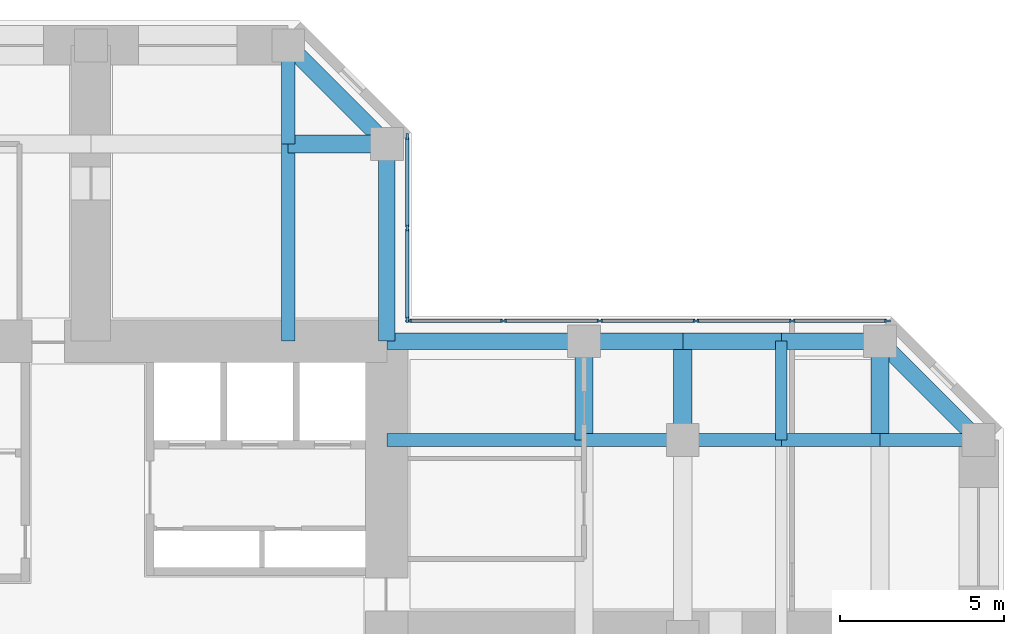
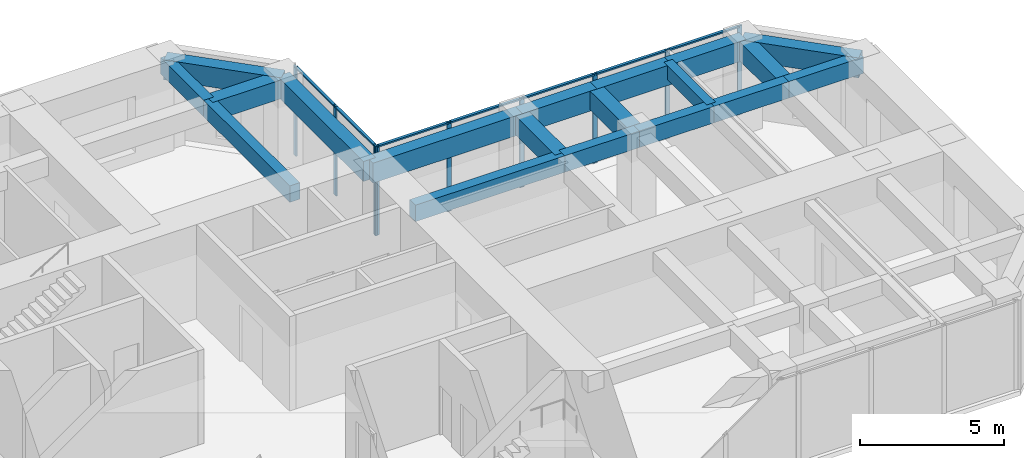
# One storey, part 6 of 12: 19 beams, 16 members, 2 elements without a shape of their own.
"""IFC4 building model written with IfcOpenShell, lengths in metres."""

from ifc_helpers import new_model, si_unit, direction, frame, origin, origin_2d, place, context, subcontext, project, spatial, rectangle, extrude, material, material_profile, profile_set, type_object, element, aggregate, save


model = new_model("IFC4")

# Units and contexts
model_context = context("Model", 3, precision=1e-05, world=origin(), true_north=direction((0.0, 1.0)))
body_context = subcontext(model_context, "Body", "Model", "MODEL_VIEW")
ifc_project = project(units=[si_unit("LENGTHUNIT", "METRE"), si_unit("AREAUNIT", "SQUARE_METRE"), si_unit("VOLUMEUNIT", "CUBIC_METRE"), si_unit("PLANEANGLEUNIT", "RADIAN"), si_unit("MASSUNIT", "GRAM", prefix="KILO")], contexts=[model_context])

# Site, building, storey
site_placement = place(None, origin())
site = spatial("IfcSite", under=ifc_project, at=site_placement, CompositionType="ELEMENT")
building_placement = place(site_placement, origin())
building = spatial("IfcBuilding", under=site, at=building_placement, Name="Torre Cruceta", CompositionType="ELEMENT")
storey_placement = place(building_placement, frame((0.0, 0.0, 148.5)))
storey = spatial("IfcBuildingStorey", under=building, at=storey_placement, Name="L36", CompositionType="ELEMENT", Elevation=148.5)

# Beams
ifc_material_1 = material(Name="Concrete G60 (fck 60 MPa)", Category="concrete")
ifc_material_profile_1 = material_profile(ifc_material_1, rectangle(XDim=0.39990234375, YDim=0.699951171875, at=origin_2d()), Name="RC 400X700")
ifc_profile_set_1 = profile_set([ifc_material_profile_1], Name="Concrete G60 (fck 60 MPa)")
beam_type_1 = type_object("IfcBeamType", Name="COLUMN LINE BEAM RC 400X700", PredefinedType="BEAM", material=ifc_profile_set_1)
beam_1_placement = place(storey_placement, frame((6.0, 9.0, 3.449951171875), z_axis=(0.0, 1.0, 0.0), x_axis=(-1.0, 0.0, 0.0)))
element("IfcBeam", 1, at=beam_1_placement, inside=storey, type_object=beam_type_1, Name="LB5 L36 N col- 1", PredefinedType="BEAM", context=body_context, shape_type="SweptSolid", body=[
    extrude(rectangle(XDim=0.39990234375, YDim=0.699951171875, at=origin_2d()), origin(), (0.0, 0.0, 1.0), 6.0),
])
beam_2_placement = place(storey_placement, frame((6.0, 15.0, 3.449951171875), z_axis=(0.0, 1.0, 0.0), x_axis=(-1.0, 0.0, 0.0)))
element("IfcBeam", 2, at=beam_2_placement, inside=storey, type_object=beam_type_1, Name="LB5 L36 N col- 2", PredefinedType="BEAM", context=body_context, shape_type="SweptSolid", body=[
    extrude(rectangle(XDim=0.39990234375, YDim=0.699951171875, at=origin_2d()), origin(), (0.0, 0.0, 1.0), 3.0),
])
beam_3_placement = place(storey_placement, frame((9.0, 6.0, 3.449951171875), z_axis=(1.0, 0.0, 0.0), x_axis=(0.0, 1.0, 0.0)))
element("IfcBeam", 3, at=beam_3_placement, inside=storey, type_object=beam_type_1, Name="LB5 L36 E col+ 1", PredefinedType="BEAM", context=body_context, shape_type="SweptSolid", body=[
    extrude(rectangle(XDim=0.39990234375, YDim=0.699951171875, at=origin_2d()), origin(), (0.0, 0.0, 1.0), 6.0),
])
for number, where, z_axis, x_axis, name in (
    (4, (15.0, 6.0, 3.449951171875), (1.0, 0.0, 0.0), (0.0, 1.0, 0.0), "LB5 L36 E col+ 2"),
    (5, (18.0, 6.0, 3.449951171875), (1.0, 0.0, 0.0), (0.0, 1.0, 0.0), "LB5 L36 E col+ 3"),
    (6, (21.0, 6.0, 3.449951171875), (1.0, 0.0, 0.0), (0.0, 1.0, 0.0), "LB5 L36 E col+ 4"),
    (7, (24.0, 6.0, 3.449951171875), (1.0, 0.0, 0.0), (0.0, 1.0, 0.0), "LB5 L36 E col+ 5"),
):
    element("IfcBeam", number, at=place(storey_placement, frame(where, z_axis=z_axis, x_axis=x_axis)), inside=storey, type_object=beam_type_1, Name=name, PredefinedType="BEAM", context=body_context, shape_type="SweptSolid", body=[
        extrude(rectangle(XDim=0.39990234375, YDim=0.699951171875, at=origin_2d()), origin(), (0.0, 0.0, 1.0), 3.0),
    ])
ifc_material_2 = material(Name="Concrete G60 (fck 60 MPa)", Category="concrete")
ifc_material_profile_2 = material_profile(ifc_material_2, rectangle(XDim=0.550048828125, YDim=0.800048828125, at=origin_2d()), Name="RC 550X800")
ifc_profile_set_2 = profile_set([ifc_material_profile_2], Name="Concrete G60 (fck 60 MPa)")
beam_type_2 = type_object("IfcBeamType", Name="CROSS BEAM RC 550X800", PredefinedType="BEAM", material=ifc_profile_set_2)
for number, where, z_axis, x_axis, name in (
    (8, (9.0, 15.0, 3.39990234375), (-1.0, 0.0, 0.0), (0.0, -1.0, 0.0), "GB5 L36 N cross15 1"),
    (9, (15.0, 6.0, 3.39990234375), (0.0, 1.0, 0.0), (-1.0, 0.0, 0.0), "GB5 L36 E cross15 4"),
    (10, (18.0, 6.0, 3.39990234375), (0.0, 1.0, 0.0), (-1.0, 0.0, 0.0), "GB5 L36 E cross18 4"),
    (11, (24.0, 6.0, 3.39990234375), (0.0, 1.0, 0.0), (-1.0, 0.0, 0.0), "GB5 L36 E cross24 4"),
):
    element("IfcBeam", number, at=place(storey_placement, frame(where, z_axis=z_axis, x_axis=x_axis)), inside=storey, type_object=beam_type_2, Name=name, PredefinedType="BEAM", context=body_context, shape_type="SweptSolid", body=[
        extrude(rectangle(XDim=0.550048828125, YDim=0.800048828125, at=origin_2d()), origin(), (0.0, 0.0, 1.0), 3.0),
    ])

# Curtain wall, members
ifc_material_3 = material(Name="Aluminium unitised curtain wall", Category="aluminium")
curtain_wall_type = type_object("IfcCurtainWallType", Name="CURTAIN WALL CW-B OFFICE MID RISE", PredefinedType="USERDEFINED", material=ifc_material_3)
curtain_wall_1_placement = place(storey_placement, origin())
curtain_wall_1 = element("IfcCurtainWall", 12, at=curtain_wall_1_placement, inside=storey, type_object=curtain_wall_type, Name="CW-B L36 E side 04", ObjectType="UNITISED", PredefinedType="USERDEFINED")
ifc_material_4 = material(Name="Aluminium mullion", Category="aluminium")
ifc_material_profile_3 = material_profile(ifc_material_4, rectangle(XDim=0.06494140625, YDim=0.179931640625, at=origin_2d()), Name="AL 65X180")
ifc_profile_set_3 = profile_set([ifc_material_profile_3], Name="Aluminium mullion")
member_type_1 = type_object("IfcMemberType", Name="CW-B MULLION 65X180", PredefinedType="MULLION", material=ifc_profile_set_3)
member_1_placement = place(storey_placement, frame((24.224365234375, 9.6201171875, 0.0), z_axis=(0.0, 0.0, 1.0), x_axis=(0.0, -1.0, 0.0)))
member_1 = element("IfcMember", 13, at=member_1_placement, type_object=member_type_1, Name="CW-B mullion 1", PredefinedType="MULLION", context=body_context, shape_type="SweptSolid", body=[
    extrude(rectangle(XDim=0.06494140625, YDim=0.179931640625, at=origin_2d()), origin(), (0.0, 0.0, 1.0), 3.800048828125),
])
member_2_placement = place(storey_placement, frame((21.329345703125, 9.6201171875, 0.0), z_axis=(0.0, 0.0, 1.0), x_axis=(0.0, -1.0, 0.0)))
member_2 = element("IfcMember", 14, at=member_2_placement, type_object=member_type_1, Name="CW-B mullion 2", PredefinedType="MULLION", context=body_context, shape_type="SweptSolid", body=[
    extrude(rectangle(XDim=0.06494140625, YDim=0.179931640625, at=origin_2d()), origin(), (0.0, 0.0, 1.0), 3.800048828125),
])
member_3_placement = place(storey_placement, frame((18.402099609375, 9.6201171875, 0.0), z_axis=(0.0, 0.0, 1.0), x_axis=(0.0, -1.0, 0.0)))
member_3 = element("IfcMember", 15, at=member_3_placement, type_object=member_type_1, Name="CW-B mullion 3", PredefinedType="MULLION", context=body_context, shape_type="SweptSolid", body=[
    extrude(rectangle(XDim=0.06494140625, YDim=0.179931640625, at=origin_2d()), origin(), (0.0, 0.0, 1.0), 3.800048828125),
])
member_4_placement = place(storey_placement, frame((15.474609375, 9.6201171875, 0.0), z_axis=(0.0, 0.0, 1.0), x_axis=(0.0, -1.0, 0.0)))
member_4 = element("IfcMember", 16, at=member_4_placement, type_object=member_type_1, Name="CW-B mullion 4", PredefinedType="MULLION", context=body_context, shape_type="SweptSolid", body=[
    extrude(rectangle(XDim=0.06494140625, YDim=0.179931640625, at=origin_2d()), origin(), (0.0, 0.0, 1.0), 3.800048828125),
])
member_5_placement = place(storey_placement, frame((12.54736328125, 9.6201171875, 0.0), z_axis=(0.0, 0.0, 1.0), x_axis=(0.0, -1.0, 0.0)))
member_5 = element("IfcMember", 17, at=member_5_placement, type_object=member_type_1, Name="CW-B mullion 5", PredefinedType="MULLION", context=body_context, shape_type="SweptSolid", body=[
    extrude(rectangle(XDim=0.06494140625, YDim=0.179931640625, at=origin_2d()), origin(), (0.0, 0.0, 1.0), 3.800048828125),
])
member_6_placement = place(storey_placement, frame((9.652587890625, 9.6201171875, 0.0), z_axis=(0.0, 0.0, 1.0), x_axis=(0.0, -1.0, 0.0)))
member_6 = element("IfcMember", 18, at=member_6_placement, type_object=member_type_1, Name="CW-B mullion 6", PredefinedType="MULLION", context=body_context, shape_type="SweptSolid", body=[
    extrude(rectangle(XDim=0.06494140625, YDim=0.179931640625, at=origin_2d()), origin(), (0.0, 0.0, 1.0), 3.800048828125),
])

curtain_wall_2_placement = place(storey_placement, origin())
curtain_wall_2 = element("IfcCurtainWall", 19, at=curtain_wall_2_placement, inside=storey, type_object=curtain_wall_type, Name="CW-B L36 N side 05", ObjectType="UNITISED", PredefinedType="USERDEFINED")
member_7_placement = place(storey_placement, frame((9.6201171875, 9.652587890625, 0.0), z_axis=(0.0, 0.0, 1.0), x_axis=(-1.0, 0.0, 0.0)))
member_7 = element("IfcMember", 20, at=member_7_placement, type_object=member_type_1, Name="CW-B mullion 1", PredefinedType="MULLION", context=body_context, shape_type="SweptSolid", body=[
    extrude(rectangle(XDim=0.06494140625, YDim=0.179931640625, at=origin_2d()), origin(), (0.0, 0.0, 1.0), 3.800048828125),
])
member_8_placement = place(storey_placement, frame((9.6201171875, 12.4384765625, 0.0), z_axis=(0.0, 0.0, 1.0), x_axis=(-1.0, 0.0, 0.0)))
member_8 = element("IfcMember", 21, at=member_8_placement, type_object=member_type_1, Name="CW-B mullion 2", PredefinedType="MULLION", context=body_context, shape_type="SweptSolid", body=[
    extrude(rectangle(XDim=0.06494140625, YDim=0.179931640625, at=origin_2d()), origin(), (0.0, 0.0, 1.0), 3.800048828125),
])
member_9_placement = place(storey_placement, frame((9.6201171875, 15.224365234375, 0.0), z_axis=(0.0, 0.0, 1.0), x_axis=(-1.0, 0.0, 0.0)))
member_9 = element("IfcMember", 22, at=member_9_placement, type_object=member_type_1, Name="CW-B mullion 3", PredefinedType="MULLION", context=body_context, shape_type="SweptSolid", body=[
    extrude(rectangle(XDim=0.06494140625, YDim=0.179931640625, at=origin_2d()), origin(), (0.0, 0.0, 1.0), 3.800048828125),
])

# Member
ifc_material_5 = material(Name="Aluminium transom", Category="aluminium")
ifc_material_profile_4 = material_profile(ifc_material_5, rectangle(XDim=0.110107421875, YDim=0.06494140625, at=origin_2d()), Name="AL 110X65")
ifc_profile_set_4 = profile_set([ifc_material_profile_4], Name="Aluminium transom")
member_type_2 = type_object("IfcMemberType", Name="CW-B TRANSOM 65X110", PredefinedType="USERDEFINED", material=ifc_profile_set_4)
member_10_placement = place(storey_placement, frame((24.19189453125, 9.6201171875, 3.767578125), z_axis=(-1.0, 0.0, 0.0), x_axis=(0.0, -1.0, 0.0)))
member_10 = element("IfcMember", 23, at=member_10_placement, type_object=member_type_2, Name="CW-B transom 1", ObjectType="TRANSOM", PredefinedType="USERDEFINED", context=body_context, shape_type="SweptSolid", body=[
    extrude(rectangle(XDim=0.110107421875, YDim=0.06494140625, at=origin_2d()), origin(), (0.0, 0.0, 1.0), 2.829833984375),
])

member_11_placement = place(storey_placement, frame((21.296875, 9.6201171875, 3.767578125), z_axis=(-1.0, 0.0, 0.0), x_axis=(0.0, -1.0, 0.0)))
member_11 = element("IfcMember", 24, at=member_11_placement, type_object=member_type_2, Name="CW-B transom 2", ObjectType="TRANSOM", PredefinedType="USERDEFINED", context=body_context, shape_type="SweptSolid", body=[
    extrude(rectangle(XDim=0.110107421875, YDim=0.06494140625, at=origin_2d()), origin(), (0.0, 0.0, 1.0), 2.8623046875),
])

member_12_placement = place(storey_placement, frame((18.36962890625, 9.6201171875, 3.767578125), z_axis=(-1.0, 0.0, 0.0), x_axis=(0.0, -1.0, 0.0)))
member_12 = element("IfcMember", 25, at=member_12_placement, type_object=member_type_2, Name="CW-B transom 3", ObjectType="TRANSOM", PredefinedType="USERDEFINED", context=body_context, shape_type="SweptSolid", body=[
    extrude(rectangle(XDim=0.110107421875, YDim=0.06494140625, at=origin_2d()), origin(), (0.0, 0.0, 1.0), 2.8623046875),
])

member_13_placement = place(storey_placement, frame((15.442138671875, 9.6201171875, 3.767578125), z_axis=(-1.0, 0.0, 0.0), x_axis=(0.0, -1.0, 0.0)))
member_13 = element("IfcMember", 26, at=member_13_placement, type_object=member_type_2, Name="CW-B transom 4", ObjectType="TRANSOM", PredefinedType="USERDEFINED", context=body_context, shape_type="SweptSolid", body=[
    extrude(rectangle(XDim=0.110107421875, YDim=0.06494140625, at=origin_2d()), origin(), (0.0, 0.0, 1.0), 2.8623046875),
])

member_14_placement = place(storey_placement, frame((12.514892578125, 9.6201171875, 3.767578125), z_axis=(-1.0, 0.0, 0.0), x_axis=(0.0, -1.0, 0.0)))
member_14 = element("IfcMember", 27, at=member_14_placement, type_object=member_type_2, Name="CW-B transom 5", ObjectType="TRANSOM", PredefinedType="USERDEFINED", context=body_context, shape_type="SweptSolid", body=[
    extrude(rectangle(XDim=0.110107421875, YDim=0.06494140625, at=origin_2d()), origin(), (0.0, 0.0, 1.0), 2.829833984375),
])

aggregate(curtain_wall_1, [member_1, member_2, member_3, member_4, member_5, member_6, member_10, member_11, member_12, member_13, member_14])

member_15_placement = place(storey_placement, frame((9.6201171875, 9.68505859375, 3.767578125), z_axis=(0.0, 1.0, 0.0), x_axis=(-1.0, 0.0, 0.0)))
member_15 = element("IfcMember", 28, at=member_15_placement, type_object=member_type_2, Name="CW-B transom 1", ObjectType="TRANSOM", PredefinedType="USERDEFINED", context=body_context, shape_type="SweptSolid", body=[
    extrude(rectangle(XDim=0.110107421875, YDim=0.06494140625, at=origin_2d()), origin(), (0.0, 0.0, 1.0), 2.720947265625),
])

member_16_placement = place(storey_placement, frame((9.6201171875, 12.470947265625, 3.767578125), z_axis=(0.0, 1.0, 0.0), x_axis=(-1.0, 0.0, 0.0)))
member_16 = element("IfcMember", 29, at=member_16_placement, type_object=member_type_2, Name="CW-B transom 2", ObjectType="TRANSOM", PredefinedType="USERDEFINED", context=body_context, shape_type="SweptSolid", body=[
    extrude(rectangle(XDim=0.110107421875, YDim=0.06494140625, at=origin_2d()), origin(), (0.0, 0.0, 1.0), 2.720947265625),
])

aggregate(curtain_wall_2, [member_7, member_8, member_9, member_15, member_16])

# Beams
ifc_material_6 = material(Name="Concrete G60 (fck 60 MPa)", Category="concrete")
ifc_material_profile_5 = material_profile(ifc_material_6, rectangle(XDim=0.35009765625, YDim=0.60009765625, at=origin_2d()), Name="RC 350X600")
ifc_profile_set_5 = profile_set([ifc_material_profile_5], Name="Concrete G60 (fck 60 MPa)")
beam_type_3 = type_object("IfcBeamType", Name="SECONDARY BEAM RC 350X600", PredefinedType="JOIST", material=ifc_profile_set_5)
beam_4_placement = place(storey_placement, frame((21.0, 6.0, 3.5), z_axis=(0.0, 1.0, 0.0), x_axis=(-1.0, 0.0, 0.0)))
element("IfcBeam", 30, at=beam_4_placement, inside=storey, type_object=beam_type_3, Name="JB5 L36 E sec21 4", PredefinedType="JOIST", context=body_context, shape_type="SweptSolid", body=[
    extrude(rectangle(XDim=0.35009765625, YDim=0.60009765625, at=origin_2d()), origin(), (0.0, 0.0, 1.0), 3.0),
])
ifc_material_7 = material(Name="Concrete G60 (fck 60 MPa)", Category="concrete")
ifc_material_profile_6 = material_profile(ifc_material_7, rectangle(XDim=0.5, YDim=0.85009765625, at=origin_2d()), Name="RC 500X850")
ifc_profile_set_6 = profile_set([ifc_material_profile_6], Name="Concrete G60 (fck 60 MPa)")
beam_type_4 = type_object("IfcBeamType", Name="SPANDREL BEAM RC 500X850", PredefinedType="SPANDREL", material=ifc_profile_set_6)
beam_5_placement = place(storey_placement, frame((9.0, 9.0, 3.375), z_axis=(0.0, 1.0, 0.0), x_axis=(-1.0, 0.0, 0.0)))
element("IfcBeam", 31, at=beam_5_placement, inside=storey, type_object=beam_type_4, Name="SB5 L36 N side- 1", PredefinedType="SPANDREL", context=body_context, shape_type="SweptSolid", body=[
    extrude(rectangle(XDim=0.5, YDim=0.85009765625, at=origin_2d()), origin(), (0.0, 0.0, 1.0), 6.0),
])
beam_6_placement = place(storey_placement, frame((9.0, 15.0, 3.375), z_axis=(-0.707106781187, 0.707106781187, 0.0), x_axis=(-0.707106781187, -0.707106781187, 0.0)))
element("IfcBeam", 32, at=beam_6_placement, inside=storey, type_object=beam_type_4, Name="SB5 L36 N side- 2", PredefinedType="SPANDREL", context=body_context, shape_type="SweptSolid", body=[
    extrude(rectangle(XDim=0.5, YDim=0.85009765625, at=origin_2d()), origin(), (0.0, 0.0, 1.0), 4.24267578125),
])
beam_7_placement = place(storey_placement, frame((9.0, 9.0, 3.375), z_axis=(1.0, 0.0, 0.0), x_axis=(0.0, 1.0, 0.0)))
element("IfcBeam", 33, at=beam_7_placement, inside=storey, type_object=beam_type_4, Name="SB5 L36 E side+ 1", PredefinedType="SPANDREL", context=body_context, shape_type="SweptSolid", body=[
    extrude(rectangle(XDim=0.5, YDim=0.85009765625, at=origin_2d()), origin(), (0.0, 0.0, 1.0), 6.0),
])
for number, where, z_axis, x_axis, name in (
    (34, (15.0, 9.0, 3.375), (1.0, 0.0, 0.0), (0.0, 1.0, 0.0), "SB5 L36 E side+ 2"),
    (35, (18.0, 9.0, 3.375), (1.0, 0.0, 0.0), (0.0, 1.0, 0.0), "SB5 L36 E side+ 3"),
    (36, (21.0, 9.0, 3.375), (1.0, 0.0, 0.0), (0.0, 1.0, 0.0), "SB5 L36 E side+ 4"),
):
    element("IfcBeam", number, at=place(storey_placement, frame(where, z_axis=z_axis, x_axis=x_axis)), inside=storey, type_object=beam_type_4, Name=name, PredefinedType="SPANDREL", context=body_context, shape_type="SweptSolid", body=[
        extrude(rectangle(XDim=0.5, YDim=0.85009765625, at=origin_2d()), origin(), (0.0, 0.0, 1.0), 3.0),
    ])
beam_8_placement = place(storey_placement, frame((24.0, 9.0, 3.375), z_axis=(0.707106781187, -0.707106781187, 0.0), x_axis=(0.707106781187, 0.707106781187, 0.0)))
element("IfcBeam", 37, at=beam_8_placement, inside=storey, type_object=beam_type_4, Name="SB5 L36 E side+ 5", PredefinedType="SPANDREL", context=body_context, shape_type="SweptSolid", body=[
    extrude(rectangle(XDim=0.5, YDim=0.85009765625, at=origin_2d()), origin(), (0.0, 0.0, 1.0), 4.24267578125),
])

save(model, "model.ifc")
